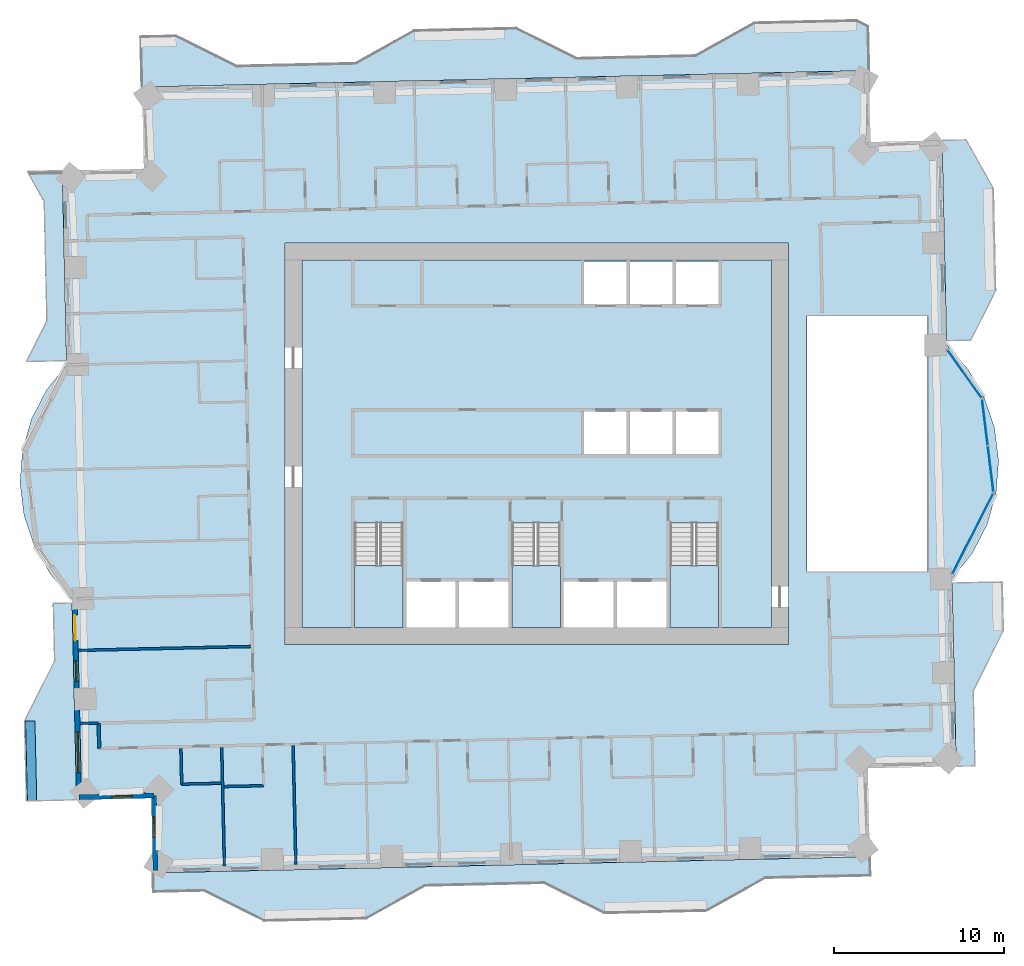
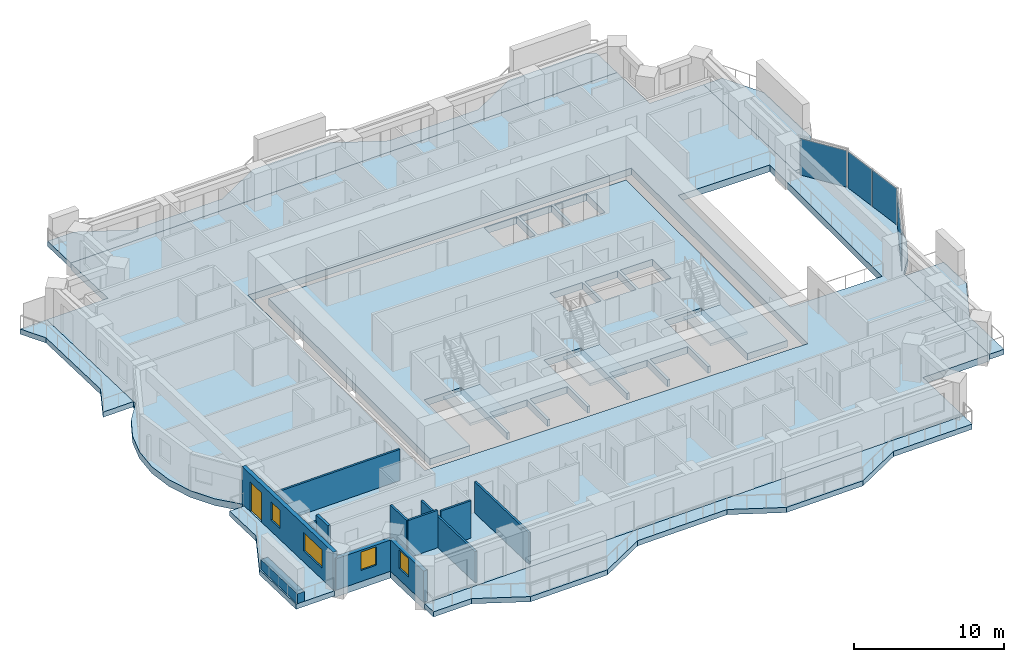
# One storey, part 5 of 16: 12 walls, 11 slabs, 4 plates, 4 windows, 1 door, 5 openings, 6 elements without a shape of their own.
"""IFC4 building model written with IfcOpenShell, lengths in metres."""

from ifc_helpers import new_model, si_unit, direction, frame, frame_2d, origin, origin_2d, place, context, subcontext, project, spatial, polyline, rectangle, outline, extrude, material, layer, layer_set, type_object, element, fill, aggregate, save


model = new_model("IFC4")

# Units and contexts
model_context = context("Model", 3, precision=1e-05, world=origin(), true_north=direction((0.0, 1.0)))
body_context = subcontext(model_context, "Body", "Model", "MODEL_VIEW")
ifc_project = project(units=[si_unit("LENGTHUNIT", "METRE"), si_unit("AREAUNIT", "SQUARE_METRE"), si_unit("VOLUMEUNIT", "CUBIC_METRE"), si_unit("PLANEANGLEUNIT", "RADIAN"), si_unit("MASSUNIT", "GRAM", prefix="KILO")], contexts=[model_context])

# Site, building, storey
site_placement = place(None, origin())
site = spatial("IfcSite", under=ifc_project, at=site_placement, CompositionType="ELEMENT")
building_placement = place(site_placement, origin())
building = spatial("IfcBuilding", under=site, at=building_placement, Name="Mangrove Gate Tower", CompositionType="ELEMENT")
storey_placement = place(building_placement, frame((0.0, 0.0, 133.699951171875)))
storey = spatial("IfcBuildingStorey", under=building, at=storey_placement, Name="L33", CompositionType="ELEMENT", Elevation=133.699951171875)

# Curtain wall, plate
ifc_material_1 = material(Name="Aluminium and glass curtain wall", Category="aluminium")
curtain_wall_type = type_object("IfcCurtainWallType", Name="Atrium garden-court glazing wall", PredefinedType="NOTDEFINED", material=ifc_material_1)
curtain_wall_1_placement = place(storey_placement, origin())
curtain_wall_1 = element("IfcCurtainWall", 1, at=curtain_wall_1_placement, inside=storey, type_object=curtain_wall_type, Name="Atrium garden-court glazing E1f1", PredefinedType="NOTDEFINED")
ifc_material_2 = material(Name="Laminated low-e glass", Category="glass")
ifc_layer_1 = layer(ifc_material_2, 0.031982421875)
ifc_layer_set_1 = layer_set([ifc_layer_1], Name="Atrium garden-court glazing panel 32")
plate_type = type_object("IfcPlateType", Name="Atrium garden-court glazing panel 32", PredefinedType="CURTAIN_PANEL", material=ifc_layer_set_1)
plate_1_placement = place(storey_placement, frame((25.647216796875, -5.28466796875, 0.0), z_axis=(0.0, 0.0, 1.0), x_axis=(0.452614630938, 0.891706227331, 0.0)))
plate_1 = element("IfcPlate", 2, at=plate_1_placement, type_object=plate_type, Name="CWA panel 1.1", PredefinedType="CURTAIN_PANEL", context=body_context, shape_type="SweptSolid", body=[
    extrude(rectangle(XDim=5.258544921875, YDim=0.031982421875, at=origin_2d()), origin(), (0.0, 0.0, 1.0), 2.97998046875),
])
aggregate(curtain_wall_1, [plate_1])

# Curtain wall, plates
curtain_wall_2_placement = place(storey_placement, origin())
curtain_wall_2 = element("IfcCurtainWall", 3, at=curtain_wall_2_placement, inside=storey, type_object=curtain_wall_type, Name="Atrium garden-court glazing E1f2", PredefinedType="NOTDEFINED")
plate_2_placement = place(storey_placement, frame((26.696533203125, -1.4775390625, 0.0), z_axis=(0.0, 0.0, 1.0), x_axis=(-0.122172285885, 0.992508908051, 0.0)))
plate_2 = element("IfcPlate", 4, at=plate_2_placement, type_object=plate_type, Name="CWA panel 1.1", PredefinedType="CURTAIN_PANEL", context=body_context, shape_type="SweptSolid", body=[
    extrude(rectangle(XDim=2.681640625, YDim=0.031982421875, at=origin_2d()), origin(), (0.0, 0.0, 1.0), 2.97998046875),
])
plate_3_placement = place(storey_placement, frame((26.3603515625, 1.253662109375, 0.0), z_axis=(0.0, 0.0, 1.0), x_axis=(-0.122172285885, 0.992508908051, 0.0)))
plate_3 = element("IfcPlate", 5, at=plate_3_placement, type_object=plate_type, Name="CWA panel 2.1", PredefinedType="CURTAIN_PANEL", context=body_context, shape_type="SweptSolid", body=[
    extrude(rectangle(XDim=2.681640625, YDim=0.031982421875, at=origin_2d()), origin(), (0.0, 0.0, 1.0), 2.97998046875),
])
aggregate(curtain_wall_2, [plate_2, plate_3])

# Curtain wall, plate
curtain_wall_3_placement = place(storey_placement, origin())
curtain_wall_3 = element("IfcCurtainWall", 6, at=curtain_wall_3_placement, inside=storey, type_object=curtain_wall_type, Name="Atrium garden-court glazing E1f3", PredefinedType="NOTDEFINED")
plate_4_placement = place(storey_placement, frame((25.15625, 4.10986328125, 0.0), z_axis=(0.0, 0.0, 1.0), x_axis=(-0.578132252952, 0.815943072828, 0.0)))
plate_4 = element("IfcPlate", 7, at=plate_4_placement, type_object=plate_type, Name="CWA panel 1.1", PredefinedType="CURTAIN_PANEL", context=body_context, shape_type="SweptSolid", body=[
    extrude(rectangle(XDim=3.428955078125, YDim=0.031982421875, at=origin_2d()), origin(), (0.0, 0.0, 1.0), 2.97998046875),
])
aggregate(curtain_wall_3, [plate_4])

# Slabs
ifc_material_3 = material(Name="Porcelain tile")
ifc_layer_2 = layer(ifc_material_3, 0.02001953125, Name="Tile finish")
ifc_material_4 = material(Name="Cement sand screed")
ifc_layer_3 = layer(ifc_material_4, 0.0400390625, Name="Screed laid to falls")
ifc_material_5 = material(Name="Bituminous waterproofing membrane")
ifc_layer_4 = layer(ifc_material_5, 0.00390625, Name="Waterproofing")
ifc_material_6 = material(Name="Concrete C40/50", Category="concrete")
ifc_layer_5 = layer(ifc_material_6, 0.340087890625, Name="Balcony structural slab")
ifc_material_7 = material(Name="Limestone", Category="masonry")
ifc_layer_6 = layer(ifc_material_7, 0.01611328125, Name="Soffit lining")
ifc_layer_set_2 = layer_set([ifc_layer_2, ifc_layer_3, ifc_layer_4, ifc_layer_5, ifc_layer_6], Name="Balcony slab 420 C40/50")
slab_type_1 = type_object("IfcSlabType", Name="Balcony slab 420 C40/50", PredefinedType="FLOOR", material=ifc_layer_set_2)
slab_1_placement = place(storey_placement, frame((0.0, 0.0, -0.419921875)))
element("IfcSlab", 8, at=slab_1_placement, inside=storey, type_object=slab_type_1, Name="BALCONY L33 E0", PredefinedType="FLOOR", context=body_context, shape_type="SweptSolid", body=[
    extrude(outline(polyline([(25.81103515625, -18.93310546875), (25.7109375, -14.533935546875), (27.48095703125, -10.992919921875), (27.416015625, -8.118896484375), (24.427001953125, -8.18701171875), (24.491943359375, -11.06005859375), (24.572021484375, -14.56005859375), (24.6708984375, -18.9580078125), (25.81103515625, -18.93310546875)])), origin(), (0.0, 0.0, 1.0), 0.419921875),
])
slab_2_placement = place(storey_placement, frame((0.0, 0.0, -0.419921875)))
element("IfcSlab", 9, at=slab_2_placement, inside=storey, type_object=slab_type_1, Name="BALCONY L33 E1", PredefinedType="FLOOR", context=body_context, shape_type="SweptSolid", body=[
    extrude(outline(polyline([(25.573974609375, 6.093994140625), (27.028076171875, 9.001953125), (26.89208984375, 15.0009765625), (25.29296875, 17.864990234375), (23.8369140625, 17.83203125), (23.902099609375, 14.93310546875), (24.0380859375, 8.93408203125), (24.10400390625, 6.06005859375), (25.573974609375, 6.093994140625)])), origin(), (0.0, 0.0, 1.0), 0.419921875),
])
slab_3_placement = place(storey_placement, frame((0.0, 0.0, -0.419921875)))
element("IfcSlab", 10, at=slab_3_placement, inside=storey, type_object=slab_type_1, Name="BALCONY L33 N0", PredefinedType="FLOOR", context=body_context, shape_type="SweptSolid", body=[
    extrude(outline(polyline([(19.48291015625, 24.570068359375), (18.802978515625, 24.909912109375), (12.803955078125, 24.77392578125), (9.346923828125, 22.844970703125), (2.34912109375, 22.68603515625), (-1.19189453125, 24.4560546875), (-7.19091796875, 24.320068359375), (-10.64794921875, 22.39111328125), (-17.64599609375, 22.23291015625), (-21.18701171875, 24.001953125), (-23.258056640625, 23.955078125), (-23.19091796875, 20.966064453125), (19.5419921875, 21.93603515625), (19.48291015625, 24.570068359375)])), origin(), (0.0, 0.0, 1.0), 0.419921875),
])
slab_4_placement = place(storey_placement, frame((0.0, 0.0, -0.419921875)))
element("IfcSlab", 11, at=slab_4_placement, inside=storey, type_object=slab_type_1, Name="BALCONY L33 W0", PredefinedType="FLOOR", context=body_context, shape_type="SweptSolid", body=[
    extrude(outline(polyline([(-29.970947265625, 16.010986328125), (-28.97900390625, 14.23291015625), (-28.821044921875, 7.235107421875), (-30.02197265625, 4.83203125), (-27.626953125, 4.886962890625), (-27.680908203125, 7.260986328125), (-27.840087890625, 14.259033203125), (-27.881103515625, 16.05810546875), (-29.970947265625, 16.010986328125)])), origin(), (0.0, 0.0, 1.0), 0.419921875),
])
slab_5_placement = place(storey_placement, frame((0.0, 0.0, -0.419921875)))
element("IfcSlab", 12, at=slab_5_placement, inside=storey, type_object=slab_type_1, Name="BALCONY L33 W1", PredefinedType="FLOOR", context=body_context, shape_type="SweptSolid", body=[
    extrude(outline(polyline([(-28.443115234375, -9.385986328125), (-28.366943359375, -12.760009765625), (-30.136962890625, -16.301025390625), (-30.030029296875, -21.0), (-27.041015625, -20.931884765625), (-27.14794921875, -16.23291015625), (-27.22705078125, -12.73388671875), (-27.303955078125, -9.360107421875), (-28.443115234375, -9.385986328125)])), origin(), (0.0, 0.0, 1.0), 0.419921875),
])
slab_6_placement = place(storey_placement, frame((0.0, 0.0, -0.419921875)))
element("IfcSlab", 13, at=slab_6_placement, inside=storey, type_object=slab_type_1, Name="BALCONY L33 S0", PredefinedType="FLOOR", context=body_context, shape_type="SweptSolid", body=[
    extrude(outline(polyline([(-22.51708984375, -26.37109375), (-19.544921875, -26.302978515625), (-16.00390625, -28.073974609375), (-10.006103515625, -27.93701171875), (-6.549072265625, -26.009033203125), (-1.449951171875, -25.89306640625), (0.449951171875, -25.85107421875), (3.990966796875, -27.6201171875), (9.989013671875, -27.48388671875), (13.446044921875, -25.554931640625), (19.616943359375, -25.4150390625), (19.591064453125, -24.27490234375), (-22.5419921875, -25.23095703125), (-22.51708984375, -26.37109375)])), origin(), (0.0, 0.0, 1.0), 0.419921875),
])
ifc_material_8 = material(Name="Concrete C40/50", Category="concrete")
ifc_layer_7 = layer(ifc_material_8, 0.550048828125)
ifc_layer_set_3 = layer_set([ifc_layer_7], Name="Core floor slab 550 C40/50")
slab_type_2 = type_object("IfcSlabType", Name="Core floor slab 550 C40/50", PredefinedType="FLOOR", material=ifc_layer_set_3)
slab_7_placement = place(storey_placement, frame((0.0, 0.0, -0.550048828125)))
element("IfcSlab", 14, at=slab_7_placement, inside=storey, type_object=slab_type_2, Name="SLAB-L33-CORE-1", PredefinedType="FLOOR", context=body_context, shape_type="SweptSolid", body=[
    extrude(outline(polyline([(-13.800048828125, -10.800048828125), (-13.800048828125, 10.800048828125), (13.800048828125, 10.800048828125), (13.800048828125, -10.800048828125), (10.699951171875, -10.800048828125), (10.699951171875, -4.653076171875), (7.85009765625, -4.653076171875), (7.85009765625, -10.800048828125), (7.64990234375, -10.800048828125), (7.64990234375, -8.10009765625), (4.72509765625, -8.10009765625), (4.72509765625, -10.800048828125), (4.52490234375, -10.800048828125), (4.52490234375, -8.10009765625), (1.60009765625, -8.10009765625), (1.60009765625, -10.800048828125), (1.39990234375, -10.800048828125), (1.39990234375, -4.653076171875), (-1.449951171875, -4.653076171875), (-1.449951171875, -10.800048828125), (-1.64990234375, -10.800048828125), (-1.64990234375, -8.10009765625), (-4.550048828125, -8.10009765625), (-4.550048828125, -10.800048828125), (-4.75, -10.800048828125), (-4.75, -8.10009765625), (-7.64990234375, -8.10009765625), (-7.64990234375, -10.800048828125), (-7.85009765625, -10.800048828125), (-7.85009765625, -4.653076171875), (-10.699951171875, -4.653076171875), (-10.699951171875, -10.800048828125), (-13.800048828125, -10.800048828125)]), holes=[polyline([(5.300048828125, -0.60009765625), (5.300048828125, 1.89990234375), (2.800048828125, 1.89990234375), (2.800048828125, -0.60009765625), (5.300048828125, -0.60009765625)]), polyline([(5.300048828125, 10.699951171875), (2.800048828125, 10.699951171875), (2.800048828125, 8.199951171875), (5.300048828125, 8.199951171875), (5.300048828125, 10.699951171875)]), polyline([(8.0, -0.60009765625), (8.0, 1.89990234375), (5.5, 1.89990234375), (5.5, -0.60009765625), (8.0, -0.60009765625)]), polyline([(10.699951171875, -0.60009765625), (10.699951171875, 1.89990234375), (8.199951171875, 1.89990234375), (8.199951171875, -0.60009765625), (10.699951171875, -0.60009765625)]), polyline([(8.0, 8.199951171875), (8.0, 10.699951171875), (5.5, 10.699951171875), (5.5, 8.199951171875), (8.0, 8.199951171875)]), polyline([(10.699951171875, 8.199951171875), (10.699951171875, 10.699951171875), (8.199951171875, 10.699951171875), (8.199951171875, 8.199951171875), (10.699951171875, 8.199951171875)])]), origin(), (0.0, 0.0, 1.0), 0.550048828125),
])

# Stair, slab
ifc_material_9 = material(Name="Concrete C40/50", Category="concrete")
stair_type = type_object("IfcStairType", Name="Core stair 1350", PredefinedType="HALF_TURN_STAIR", material=ifc_material_9)
stair_1_placement = place(storey_placement, origin())
stair_1 = element("IfcStair", 15, at=stair_1_placement, inside=storey, type_object=stair_type, Name="L33 Stair 1", PredefinedType="HALF_TURN_STAIR")
ifc_material_10 = material(Name="Concrete C40/50", Category="concrete")
ifc_layer_8 = layer(ifc_material_10, 0.199951171875)
ifc_layer_set_4 = layer_set([ifc_layer_8], Name="Core stair landing 200")
slab_type_3 = type_object("IfcSlabType", Name="Core stair landing 200", PredefinedType="LANDING", material=ifc_layer_set_4)
slab_8_placement = place(storey_placement, frame((0.0, 0.0, 1.60009765625)))
slab_8 = element("IfcSlab", 16, at=slab_8_placement, type_object=slab_type_3, Name="ST1 landing 1", PredefinedType="LANDING", context=body_context, shape_type="SweptSolid", body=[
    extrude(outline(polyline([(-10.699951171875, -7.169921875), (-10.699951171875, -10.800048828125), (-7.85009765625, -10.800048828125), (-7.85009765625, -7.169921875), (-10.699951171875, -7.169921875)])), origin(), (0.0, 0.0, 1.0), 0.199951171875),
])
aggregate(stair_1, [slab_8])

stair_2_placement = place(storey_placement, origin())
stair_2 = element("IfcStair", 17, at=stair_2_placement, inside=storey, type_object=stair_type, Name="L33 Stair 2", PredefinedType="HALF_TURN_STAIR")
slab_9_placement = place(storey_placement, frame((0.0, 0.0, 1.60009765625)))
slab_9 = element("IfcSlab", 18, at=slab_9_placement, type_object=slab_type_3, Name="ST2 landing 1", PredefinedType="LANDING", context=body_context, shape_type="SweptSolid", body=[
    extrude(outline(polyline([(-1.449951171875, -7.169921875), (-1.449951171875, -10.800048828125), (1.39990234375, -10.800048828125), (1.39990234375, -7.169921875), (-1.449951171875, -7.169921875)])), origin(), (0.0, 0.0, 1.0), 0.199951171875),
])
aggregate(stair_2, [slab_9])

stair_3_placement = place(storey_placement, origin())
stair_3 = element("IfcStair", 19, at=stair_3_placement, inside=storey, type_object=stair_type, Name="L33 Stair 3", PredefinedType="HALF_TURN_STAIR")
slab_10_placement = place(storey_placement, frame((0.0, 0.0, 1.60009765625)))
slab_10 = element("IfcSlab", 20, at=slab_10_placement, type_object=slab_type_3, Name="ST3 landing 1", PredefinedType="LANDING", context=body_context, shape_type="SweptSolid", body=[
    extrude(outline(polyline([(7.85009765625, -7.169921875), (7.85009765625, -10.800048828125), (10.699951171875, -10.800048828125), (10.699951171875, -7.169921875), (7.85009765625, -7.169921875)])), origin(), (0.0, 0.0, 1.0), 0.199951171875),
])
aggregate(stair_3, [slab_10])

# Slab
ifc_material_11 = material(Name="Concrete C40/50", Category="concrete")
ifc_layer_9 = layer(ifc_material_11, 0.550048828125)
ifc_layer_set_5 = layer_set([ifc_layer_9], Name="Floor slab 550 C40/50")
slab_type_4 = type_object("IfcSlabType", Name="Floor slab 550 C40/50", PredefinedType="FLOOR", material=ifc_layer_set_5)
slab_11_placement = place(storey_placement, frame((0.0, 0.0, -0.550048828125)))
element("IfcSlab", 21, at=slab_11_placement, inside=storey, type_object=slab_type_4, Name="Floor slab L33", PredefinedType="FLOOR", context=body_context, shape_type="SweptSolid", body=[
    extrude(outline(polyline([(-22.54248046875, -25.231201171875), (19.5908203125, -24.275146484375), (19.472900390625, -19.076416015625), (24.67138671875, -18.95849609375), (24.42138671875, -7.9365234375), (25.617919921875, -6.4443359375), (26.494873046875, -4.744384765625), (27.017333984375, -2.904296875), (27.16455078125, -0.997314453125), (26.930908203125, 0.901123046875), (26.325439453125, 2.715576171875), (25.372314453125, 4.3740234375), (24.109375, 5.810546875), (23.836669921875, 17.83203125), (19.6376953125, 17.73681640625), (19.542236328125, 21.935791015625), (-23.190673828125, 20.966064453125), (-23.081787109375, 16.167236328125), (-27.880615234375, 16.058349609375), (-27.621337890625, 4.636474609375), (-28.81787109375, 3.144287109375), (-29.69482421875, 1.4443359375), (-30.21728515625, -0.395751953125), (-30.364501953125, -2.302734375), (-30.130859375, -4.201171875), (-29.525390625, -6.015625), (-28.572265625, -7.674072265625), (-27.309326171875, -9.110595703125), (-27.041015625, -20.93212890625), (-22.642333984375, -20.832275390625), (-22.54248046875, -25.231201171875)]), holes=[polyline([(15.89990234375, 7.5), (22.9951171875, 7.5), (22.9951171875, -7.5), (15.89990234375, -7.5), (15.89990234375, 7.5)]), polyline([(-14.800048828125, -11.800048828125), (-14.800048828125, 11.800048828125), (14.800048828125, 11.800048828125), (14.800048828125, -11.800048828125), (-14.800048828125, -11.800048828125)])]), origin(), (0.0, 0.0, 1.0), 0.550048828125),
])

# Wall
ifc_material_12 = material(Name="Gypsum board on steel stud, EI 60", Category="steel")
ifc_layer_10 = layer(ifc_material_12, 0.199951171875)
ifc_layer_set_6 = layer_set([ifc_layer_10], Name="Corridor wall EI 60")
wall_type_1 = type_object("IfcWallType", Name="Corridor wall EI 60", PredefinedType="PARTITIONING", material=ifc_layer_set_6)
wall_1_placement = place(storey_placement, frame((-25.70703125, -17.925048828125, 0.0), z_axis=(0.0, 0.0, 1.0), x_axis=(-0.022617910375, 0.999744182344, 0.0)))
element("IfcWall", 22, at=wall_1_placement, inside=storey, type_object=wall_type_1, Name="WALL-L33-027", PredefinedType="PARTITIONING", context=body_context, shape_type="SweptSolid", body=[
    extrude(rectangle(XDim=1.50048828125, YDim=0.199951171875, at=frame_2d((0.750244140625, 0.0))), origin(), (0.0, 0.0, 1.0), 3.050048828125),
])

# Wall, openings, door, windows
ifc_layer_11 = layer(ifc_material_7, 0.0400390625, Name="Limestone cladding")
ifc_material_13 = material(Name="Ventilated air gap")
ifc_layer_12 = layer(ifc_material_13, 0.0400390625, Name="Ventilated cavity")
ifc_material_14 = material(Name="Mineral wool insulation")
ifc_layer_13 = layer(ifc_material_14, 0.06005859375, Name="Insulation")
ifc_material_15 = material(Name="Breather membrane")
ifc_layer_14 = layer(ifc_material_15, 0.001953125, Name="Breather membrane")
ifc_material_16 = material(Name="Concrete C20/25 blockwork", Category="masonry")
ifc_layer_15 = layer(ifc_material_16, 0.14990234375, Name="Blockwork backing wall")
ifc_material_17 = material(Name="Gypsum plaster")
ifc_layer_16 = layer(ifc_material_17, 0.008056640625, Name="Internal plaster")
ifc_layer_set_7 = layer_set([ifc_layer_11, ifc_layer_12, ifc_layer_13, ifc_layer_14, ifc_layer_15, ifc_layer_16], Name="External wall 300 limestone cladding")
wall_type_2 = type_object("IfcWallType", Name="External wall 300 limestone cladding", PredefinedType="SOLIDWALL", material=ifc_layer_set_7)
wall_2_placement = place(storey_placement, frame((-27.160888671875, -9.052001953125, 0.0), z_axis=(0.0, 0.0, 1.0), x_axis=(0.022665616813, -0.999743101909, 0.0)))
wall_2 = element("IfcWall", 23, at=wall_2_placement, inside=storey, type_object=wall_type_2, Name="WALL-L33-W10", PredefinedType="SOLIDWALL", context=body_context, shape_type="SweptSolid", body=[
    extrude(rectangle(XDim=11.72998046875, YDim=0.300048828125, at=frame_2d((5.864990234375, 0.0))), origin(), (0.0, 0.0, 1.0), 3.050048828125),
])
opening_1_placement = place(wall_2_placement, frame((1.029052734375, 0.0, 0.0)))
opening_1 = element("IfcOpeningElement", 24, at=opening_1_placement, cuts=wall_2, Name="Opening BD1", PredefinedType="OPENING", context=body_context, shape_type="SweptSolid", body=[
    extrude(rectangle(XDim=1.5, YDim=2.39990234375, at=frame_2d((0.75, 1.199951171875))), frame((0.0, 0.159912109375, 0.0), z_axis=(0.0, -1.0, 0.0), x_axis=(1.0, 0.0, 0.0)), (0.0, 0.0, 1.0), 0.320068359375),
])
opening_2_placement = place(wall_2_placement, frame((3.7099609375, 0.0, 0.89990234375)))
opening_2 = element("IfcOpeningElement", 25, at=opening_2_placement, cuts=wall_2, Name="Opening W1", PredefinedType="OPENING", context=body_context, shape_type="SweptSolid", body=[
    extrude(rectangle(XDim=1.199951171875, YDim=1.5, at=frame_2d((0.60009765625, 0.75))), frame((0.0, 0.159912109375, 0.0), z_axis=(0.0, -1.0, 0.0), x_axis=(1.0, 0.0, 0.0)), (0.0, 0.0, 1.0), 0.320068359375),
])
opening_3_placement = place(wall_2_placement, frame((7.89208984375, 0.0, 0.89990234375)))
opening_3 = element("IfcOpeningElement", 26, at=opening_3_placement, cuts=wall_2, Name="Opening W2", PredefinedType="OPENING", context=body_context, shape_type="SweptSolid", body=[
    extrude(rectangle(XDim=2.39990234375, YDim=1.5, at=frame_2d((1.199951171875, 0.75))), frame((0.0, 0.159912109375, 0.0), z_axis=(0.0, -1.0, 0.0), x_axis=(1.0, 0.0, 0.0)), (0.0, 0.0, 1.0), 0.320068359375),
])
ifc_material_18 = material(Name="Aluminium frame with laminated clear glass", Category="aluminium")
door_type = type_object("IfcDoorType", Name="Balcony sliding door 1500x2400", OperationType="SLIDING_TO_LEFT", PredefinedType="DOOR", material=ifc_material_18)
door_placement = place(opening_1_placement, origin())
door = element("IfcDoor", 27, at=door_placement, inside=storey, type_object=door_type, Name="DOOR-L33-W10-1", OperationType="SLIDING_TO_LEFT", OverallHeight=2.39990234375, OverallWidth=1.5, PredefinedType="DOOR", context=body_context, shape_type="SweptSolid", body=[
    extrude(rectangle(XDim=1.5, YDim=2.39990234375, at=frame_2d((0.75, 1.199951171875))), frame((0.0, 0.02490234375, 0.0), z_axis=(0.0, -1.0, 0.0), x_axis=(1.0, 0.0, 0.0)), (0.0, 0.0, 1.0), 0.050048828125),
])
fill(opening_1, door)
ifc_material_19 = material(Name="Aluminium frame with double-glazed low-e glass", Category="aluminium")
window_type_1 = type_object("IfcWindowType", Name="Corner room window 2400x1500", PartitioningType="DOUBLE_PANEL_VERTICAL", PredefinedType="WINDOW", material=ifc_material_19)
window_1_placement = place(opening_3_placement, origin())
window_1 = element("IfcWindow", 28, at=window_1_placement, inside=storey, type_object=window_type_1, Name="WIN-L33-W10-3", OverallHeight=1.5, OverallWidth=2.39990234375, PartitioningType="DOUBLE_PANEL_VERTICAL", PredefinedType="WINDOW", context=body_context, shape_type="SweptSolid", body=[
    extrude(rectangle(XDim=2.39990234375, YDim=1.5, at=frame_2d((1.199951171875, 0.75))), frame((0.0, 0.030029296875, 0.0), z_axis=(0.0, -1.0, 0.0), x_axis=(1.0, 0.0, 0.0)), (0.0, 0.0, 1.0), 0.06005859375),
])
fill(opening_3, window_1)
ifc_material_20 = material(Name="Aluminium frame with double-glazed low-e glass", Category="aluminium")
window_type_2 = type_object("IfcWindowType", Name="Side lite 1200x1500", PartitioningType="SINGLE_PANEL", PredefinedType="WINDOW", material=ifc_material_20)
window_2_placement = place(opening_2_placement, origin())
window_2 = element("IfcWindow", 29, at=window_2_placement, inside=storey, type_object=window_type_2, Name="WIN-L33-W10-2", OverallHeight=1.5, OverallWidth=1.199951171875, PartitioningType="SINGLE_PANEL", PredefinedType="WINDOW", context=body_context, shape_type="SweptSolid", body=[
    extrude(rectangle(XDim=1.199951171875, YDim=1.5, at=frame_2d((0.60009765625, 0.75))), frame((0.0, 0.030029296875, 0.0), z_axis=(0.0, -1.0, 0.0), x_axis=(1.0, 0.0, 0.0)), (0.0, 0.0, 1.0), 0.06005859375),
])
fill(opening_2, window_2)

# Wall, opening, window
wall_3_placement = place(storey_placement, frame((-26.89501953125, -20.779052734375, 0.0), z_axis=(0.0, 0.0, 1.0), x_axis=(0.999741204967, 0.022749133868, 0.0)))
wall_3 = element("IfcWall", 30, at=wall_3_placement, inside=storey, type_object=wall_type_2, Name="WALL-L33-S11", PredefinedType="SOLIDWALL", context=body_context, shape_type="SweptSolid", body=[
    extrude(rectangle(XDim=4.400146484375, YDim=0.300048828125, at=frame_2d((2.2001953125, 0.0))), origin(), (0.0, 0.0, 1.0), 2.550048828125),
])
opening_4_placement = place(wall_3_placement, frame((1.93603515625, 0.0, 0.89990234375)))
opening_4 = element("IfcOpeningElement", 31, at=opening_4_placement, cuts=wall_3, Name="Opening W1", PredefinedType="OPENING", context=body_context, shape_type="SweptSolid", body=[
    extrude(rectangle(XDim=1.199951171875, YDim=1.5, at=frame_2d((0.60009765625, 0.75))), frame((0.0, 0.159912109375, 0.0), z_axis=(0.0, -1.0, 0.0), x_axis=(1.0, 0.0, 0.0)), (0.0, 0.0, 1.0), 0.320068359375),
])
window_3_placement = place(opening_4_placement, origin())
window_3 = element("IfcWindow", 32, at=window_3_placement, inside=storey, type_object=window_type_2, Name="WIN-L33-S11-1", OverallHeight=1.5, OverallWidth=1.199951171875, PartitioningType="SINGLE_PANEL", PredefinedType="WINDOW", context=body_context, shape_type="SweptSolid", body=[
    extrude(rectangle(XDim=1.199951171875, YDim=1.5, at=frame_2d((0.60009765625, 0.75))), frame((0.0, 0.030029296875, 0.0), z_axis=(0.0, -1.0, 0.0), x_axis=(1.0, 0.0, 0.0)), (0.0, 0.0, 1.0), 0.06005859375),
])
fill(opening_4, window_3)

wall_4_placement = place(storey_placement, frame((-22.49609375, -20.678955078125, 0.0), z_axis=(0.0, 0.0, 1.0), x_axis=(0.022749133868, -0.999741204967, 0.0)))
wall_4 = element("IfcWall", 33, at=wall_4_placement, inside=storey, type_object=wall_type_2, Name="WALL-L33-W12", PredefinedType="SOLIDWALL", context=body_context, shape_type="SweptSolid", body=[
    extrude(rectangle(XDim=4.400146484375, YDim=0.300048828125, at=frame_2d((2.2001953125, 0.0))), origin(), (0.0, 0.0, 1.0), 2.550048828125),
])
opening_5_placement = place(wall_4_placement, frame((1.256103515625, 0.0, 0.89990234375)))
opening_5 = element("IfcOpeningElement", 34, at=opening_5_placement, cuts=wall_4, Name="Opening W1", PredefinedType="OPENING", context=body_context, shape_type="SweptSolid", body=[
    extrude(rectangle(XDim=1.199951171875, YDim=1.5, at=frame_2d((0.60009765625, 0.75))), frame((0.0, 0.159912109375, 0.0), z_axis=(0.0, -1.0, 0.0), x_axis=(1.0, 0.0, 0.0)), (0.0, 0.0, 1.0), 0.320068359375),
])
window_4_placement = place(opening_5_placement, origin())
window_4 = element("IfcWindow", 35, at=window_4_placement, inside=storey, type_object=window_type_2, Name="WIN-L33-W12-1", OverallHeight=1.5, OverallWidth=1.199951171875, PartitioningType="SINGLE_PANEL", PredefinedType="WINDOW", context=body_context, shape_type="SweptSolid", body=[
    extrude(rectangle(XDim=1.199951171875, YDim=1.5, at=frame_2d((0.60009765625, 0.75))), frame((0.0, 0.030029296875, 0.0), z_axis=(0.0, -1.0, 0.0), x_axis=(1.0, 0.0, 0.0)), (0.0, 0.0, 1.0), 0.06005859375),
])
fill(opening_5, window_4)

# Walls
ifc_material_21 = material(Name="Gypsum board on steel stud, EI 60", Category="steel")
ifc_layer_17 = layer(ifc_material_21, 0.14990234375)
ifc_layer_set_8 = layer_set([ifc_layer_17], Name="Party wall 150 EI 60")
wall_type_3 = type_object("IfcWallType", Name="Party wall 150 EI 60", PredefinedType="PARTITIONING", material=ifc_layer_set_8)
wall_5_placement = place(storey_placement, frame((-18.347900390625, -24.8359375, 0.0), z_axis=(0.0, 0.0, 1.0), x_axis=(-0.02281919218, 0.999739608332, 0.0)))
element("IfcWall", 36, at=wall_5_placement, inside=storey, type_object=wall_type_3, Name="WALL-L33-001", PredefinedType="PARTITIONING", context=body_context, shape_type="SweptSolid", body=[
    extrude(rectangle(XDim=6.9755859375, YDim=0.14990234375, at=frame_2d((3.48779296875, 0.0))), origin(), (0.0, 0.0, 1.0), 2.550048828125),
])
wall_6_placement = place(storey_placement, frame((-14.14892578125, -24.740966796875, 0.0), z_axis=(0.0, 0.0, 1.0), x_axis=(-0.022734078158, 0.999741547446, 0.0)))
element("IfcWall", 37, at=wall_6_placement, inside=storey, type_object=wall_type_3, Name="WALL-L33-002", PredefinedType="PARTITIONING", context=body_context, shape_type="SweptSolid", body=[
    extrude(rectangle(XDim=7.001708984375, YDim=0.14990234375, at=frame_2d((3.5009765625, 0.0))), origin(), (0.0, 0.0, 1.0), 2.550048828125),
])
wall_7_placement = place(storey_placement, frame((-18.381103515625, -20.155029296875, 0.0), z_axis=(0.0, 0.0, 1.0), x_axis=(0.999749797124, 0.022368351553, 0.0)))
element("IfcWall", 38, at=wall_7_placement, inside=storey, type_object=wall_type_3, Name="WALL-L33-018", PredefinedType="PARTITIONING", context=body_context, shape_type="SweptSolid", body=[
    extrude(rectangle(XDim=2.32470703125, YDim=0.14990234375, at=frame_2d((1.162353515625, 0.0))), origin(), (0.0, 0.0, 1.0), 3.050048828125),
])
wall_8_placement = place(storey_placement, frame((-20.85791015625, -20.01611328125, 0.0), z_axis=(0.0, 0.0, 1.0), x_axis=(-0.022895647347, 0.999737860308, 0.0)))
element("IfcWall", 39, at=wall_8_placement, inside=storey, type_object=wall_type_3, Name="WALL-L33-023", PredefinedType="PARTITIONING", context=body_context, shape_type="SweptSolid", body=[
    extrude(rectangle(XDim=2.1005859375, YDim=0.14990234375, at=frame_2d((1.05029296875, 0.0))), origin(), (0.0, 0.0, 1.0), 3.050048828125),
])
wall_9_placement = place(storey_placement, frame((-20.860107421875, -20.011962890625, 0.0), z_axis=(0.0, 0.0, 1.0), x_axis=(0.99974031529, 0.022788198363, 0.0)))
element("IfcWall", 40, at=wall_9_placement, inside=storey, type_object=wall_type_3, Name="WALL-L33-025", PredefinedType="PARTITIONING", context=body_context, shape_type="SweptSolid", body=[
    extrude(rectangle(XDim=2.32470703125, YDim=0.14990234375, at=frame_2d((1.162353515625, 0.0))), origin(), (0.0, 0.0, 1.0), 3.050048828125),
])
wall_10_placement = place(storey_placement, frame((-26.843017578125, -16.447021484375, 0.0), z_axis=(0.0, 0.0, 1.0), x_axis=(0.999720170098, 0.023655475055, 0.0)))
element("IfcWall", 41, at=wall_10_placement, inside=storey, type_object=wall_type_3, Name="WALL-L33-035", PredefinedType="PARTITIONING", context=body_context, shape_type="SweptSolid", body=[
    extrude(rectangle(XDim=1.104248046875, YDim=0.14990234375, at=frame_2d((0.55224609375, 0.0))), origin(), (0.0, 0.0, 1.0), 2.550048828125),
])
wall_11_placement = place(storey_placement, frame((-26.94091796875, -12.14794921875, 0.0), z_axis=(0.0, 0.0, 1.0), x_axis=(0.999742841246, 0.022677111331, 0.0)))
element("IfcWall", 42, at=wall_11_placement, inside=storey, type_object=wall_type_3, Name="WALL-L33-041", PredefinedType="PARTITIONING", context=body_context, shape_type="SweptSolid", body=[
    extrude(rectangle(XDim=10.1416015625, YDim=0.14990234375, at=frame_2d((5.07080078125, 0.0))), origin(), (0.0, 0.0, 1.0), 2.550048828125),
])
ifc_material_22 = material(Name="Concrete C32/40", Category="concrete")
ifc_layer_18 = layer(ifc_material_22, 0.199951171875, Name="Planter trough wall")
ifc_layer_19 = layer(ifc_material_5, 0.0048828125, Name="Waterproofing")
ifc_material_23 = material(Name="Drainage board and gravel")
ifc_layer_20 = layer(ifc_material_23, 0.044921875, Name="Drainage layer")
ifc_material_24 = material(Name="Planting soil")
ifc_layer_21 = layer(ifc_material_24, 0.300048828125, Name="Growing medium")
ifc_layer_set_9 = layer_set([ifc_layer_18, ifc_layer_19, ifc_layer_20, ifc_layer_21], Name="Planter wall 550 C32/40")
wall_type_4 = type_object("IfcWallType", Name="Planter wall 550 C32/40", PredefinedType="USERDEFINED", material=ifc_layer_set_9)
wall_12_placement = place(storey_placement, frame((-29.655029296875, -20.991943359375, 0.0), z_axis=(0.0, 0.0, 1.0), x_axis=(-0.022750903005, 0.999741164708, 0.0)))
element("IfcWall", 43, at=wall_12_placement, inside=storey, type_object=wall_type_4, Name="PLANTER L33 W1.1", ObjectType="PLANTER", PredefinedType="USERDEFINED", context=body_context, shape_type="SweptSolid", body=[
    extrude(rectangle(XDim=4.7001953125, YDim=0.550048828125, at=frame_2d((2.35009765625, 0.0))), origin(), (0.0, 0.0, 1.0), 0.800048828125),
])

save(model, "model.ifc")
